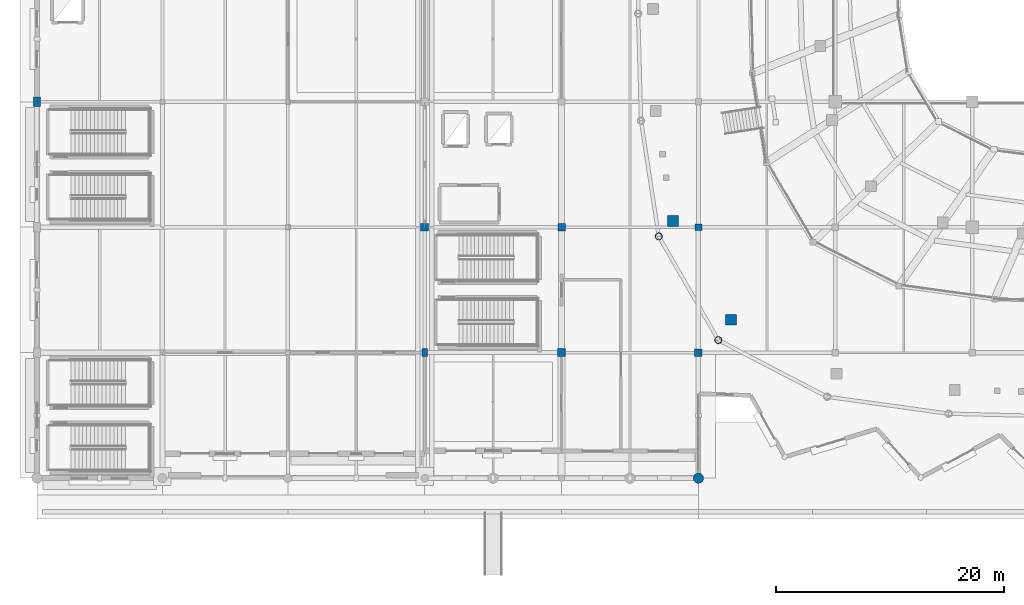
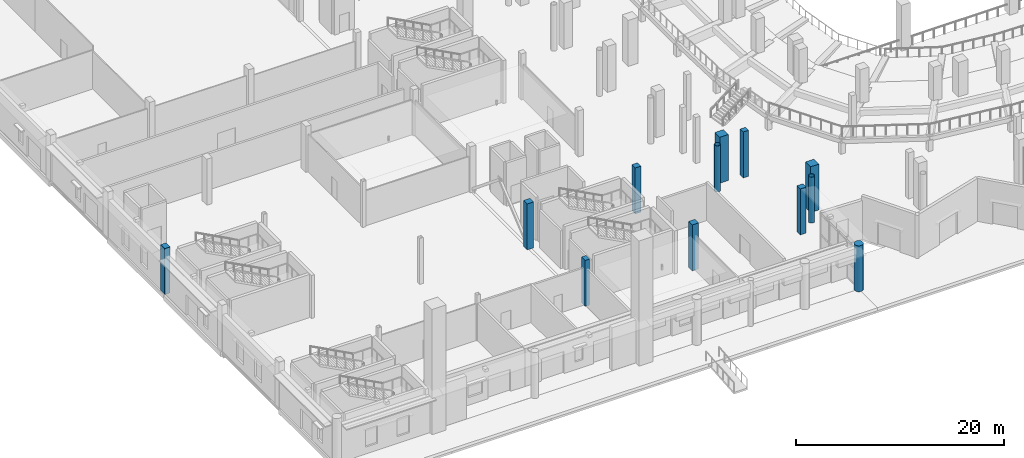
# One storey, part 2 of 120: 12 columns.
"""IFC4 building model written with IfcOpenShell, lengths in metres."""

from ifc_helpers import new_model, si_unit, direction, frame, origin, origin_2d, place, context, subcontext, project, spatial, rectangle, circle, hollow_circle, extrude, material, material_profile, profile_set, type_object, element, save


model = new_model("IFC4")

# Units and contexts
model_context = context("Model", 3, precision=1e-05, world=origin(), true_north=direction((0.0, 1.0)))
body_context = subcontext(model_context, "Body", "Model", "MODEL_VIEW")
ifc_project = project(units=[si_unit("LENGTHUNIT", "METRE"), si_unit("AREAUNIT", "SQUARE_METRE"), si_unit("VOLUMEUNIT", "CUBIC_METRE"), si_unit("PLANEANGLEUNIT", "RADIAN"), si_unit("MASSUNIT", "GRAM", prefix="KILO")], contexts=[model_context])

# Site, building, storey
site_placement = place(None, origin())
site = spatial("IfcSite", under=ifc_project, at=site_placement, CompositionType="ELEMENT")
building_placement = place(site_placement, origin())
building = spatial("IfcBuilding", under=site, at=building_placement, Name="Luwafu Chhajja Arena", CompositionType="ELEMENT")
storey_placement = place(building_placement, origin())
storey = spatial("IfcBuildingStorey", under=building, at=storey_placement, Name="L00", CompositionType="ELEMENT", Elevation=0.0)

# Columns
ifc_material_1 = material(Name="Concrete C40/50", Category="concrete")
ifc_material_profile_1 = material_profile(ifc_material_1, rectangle(XDim=0.949951171875, YDim=0.949951171875, at=origin_2d()), Name="RC 950x950")
ifc_profile_set_1 = profile_set([ifc_material_profile_1], Name="Concrete C40/50")
column_type_1 = type_object("IfcColumnType", Name="Bowl Raker Support Column RC 950", PredefinedType="COLUMN", material=ifc_profile_set_1)
for number, where, z_axis, x_axis, name in (
    (1, (55.772705078125, 22.5419921875, 0.0), (0.0, 0.0, 1.0), (1.0, 0.0, 0.0), "L00 Upper Bowl Raker Column UO20"),
    (2, (60.84619140625, 13.8896484375, 0.0), (0.0, 0.0, 1.0), (1.0, 0.0, 0.0), "L00 Upper Bowl Raker Column UO21"),
):
    element("IfcColumn", number, at=place(storey_placement, frame(where, z_axis=z_axis, x_axis=x_axis)), inside=storey, type_object=column_type_1, Name=name, PredefinedType="COLUMN", context=body_context, shape_type="SweptSolid", body=[
        extrude(rectangle(XDim=0.949951171875, YDim=0.949951171875, at=origin_2d()), origin(), (0.0, 0.0, 1.0), 5.39990234375),
    ])
ifc_material_2 = material(Name="Concrete C35/45", Category="concrete")
ifc_material_profile_2 = material_profile(ifc_material_2, rectangle(XDim=0.60009765625, YDim=0.60009765625, at=origin_2d()), Name="RC 600x600")
ifc_profile_set_2 = profile_set([ifc_material_profile_2], Name="Concrete C35/45")
column_type_2 = type_object("IfcColumnType", Name="Mezzanine Column RC 600", PredefinedType="COLUMN", material=ifc_profile_set_2)
column_1_placement = place(storey_placement, frame((58.0, 22.0, 0.0), z_axis=(0.0, 0.0, 1.0), x_axis=(1.0, 0.0, 0.0)))
element("IfcColumn", 3, at=column_1_placement, inside=storey, type_object=column_type_2, Name="L00 Grid Column 6/C", PredefinedType="COLUMN", context=body_context, shape_type="SweptSolid", body=[
    extrude(rectangle(XDim=0.60009765625, YDim=0.60009765625, at=origin_2d()), origin(), (0.0, 0.0, 1.0), 5.39990234375),
])
ifc_material_profile_3 = material_profile(ifc_material_1, circle(Radius=0.449951171875, at=origin_2d()), Name="RC COL D900")
ifc_profile_set_3 = profile_set([ifc_material_profile_3], Name="Concrete C40/50")
column_type_3 = type_object("IfcColumnType", Name="Mughal Colonnade Drum Pier D900", PredefinedType="COLUMN", material=ifc_profile_set_3)
column_2_placement = place(storey_placement, frame((58.0, 0.0, 0.0), z_axis=(0.0, 0.0, 1.0), x_axis=(1.0, 0.0, 0.0)))
element("IfcColumn", 4, at=column_2_placement, inside=storey, type_object=column_type_3, Name="L00 Grid Column 6/A", PredefinedType="COLUMN", context=body_context, shape_type="SweptSolid", body=[
    extrude(circle(Radius=0.449951171875, at=origin_2d()), origin(), (0.0, 0.0, 1.0), 5.39990234375),
])
ifc_material_profile_4 = material_profile(ifc_material_2, rectangle(XDim=0.5, YDim=0.699951171875, at=origin_2d()), Name="RC 500x700")
ifc_profile_set_4 = profile_set([ifc_material_profile_4], Name="Concrete C35/45")
column_type_4 = type_object("IfcColumnType", Name="Perimeter Pilaster Column RC 500x700", PredefinedType="COLUMN", material=ifc_profile_set_4)
column_3_placement = place(storey_placement, frame((34.0, 11.0, 0.0), z_axis=(0.0, 0.0, 1.0), x_axis=(1.0, 0.0, 0.0)))
element("IfcColumn", 5, at=column_3_placement, inside=storey, type_object=column_type_4, Name="L00 Grid Column 4/B", PredefinedType="COLUMN", context=body_context, shape_type="SweptSolid", body=[
    extrude(rectangle(XDim=0.5, YDim=0.699951171875, at=origin_2d()), origin(), (0.0, 0.0, 1.0), 5.39990234375),
])
ifc_material_profile_5 = material_profile(ifc_material_1, rectangle(XDim=0.60009765625, YDim=0.800048828125, at=origin_2d()), Name="RC 600x800")
ifc_profile_set_5 = profile_set([ifc_material_profile_5], Name="Concrete C40/50")
column_type_5 = type_object("IfcColumnType", Name="Pishtaq Pier Column RC 600x800", PredefinedType="COLUMN", material=ifc_profile_set_5)
column_4_placement = place(storey_placement, frame((0.0, 33.0, 0.0), z_axis=(0.0, 0.0, 1.0), x_axis=(1.0, 0.0, 0.0)))
element("IfcColumn", 6, at=column_4_placement, inside=storey, type_object=column_type_5, Name="L00 Grid Column 1/D", PredefinedType="COLUMN", context=body_context, shape_type="SweptSolid", body=[
    extrude(rectangle(XDim=0.60009765625, YDim=0.800048828125, at=origin_2d()), origin(), (0.0, 0.0, 1.0), 5.39990234375),
])
ifc_material_3 = material(Name="Steel S355", Category="steel")
ifc_material_profile_6 = material_profile(ifc_material_3, hollow_circle(Radius=0.304931640625, WallThickness=0.02490234375, at=origin_2d()), Name="CHS 610x25")
ifc_profile_set_6 = profile_set([ifc_material_profile_6], Name="Steel S355")
column_type_6 = type_object("IfcColumnType", Name="Steel Bowl Drum Column CHS 610", PredefinedType="COLUMN", material=ifc_profile_set_6)
for number, where, z_axis, x_axis, name in (
    (7, (54.52392578125, 21.194091796875, 0.0), (0.0, 0.0, 1.0), (1.0, 0.0, 0.0), "L00 Bowl Drum Column D20"),
    (8, (59.743896484375, 12.109130859375, 0.0), (0.0, 0.0, 1.0), (1.0, 0.0, 0.0), "L00 Bowl Drum Column D21"),
):
    element("IfcColumn", number, at=place(storey_placement, frame(where, z_axis=z_axis, x_axis=x_axis)), inside=storey, type_object=column_type_6, Name=name, PredefinedType="COLUMN", context=body_context, shape_type="SweptSolid", body=[
        extrude(hollow_circle(Radius=0.304931640625, WallThickness=0.02490234375, at=origin_2d()), origin(), (0.0, 0.0, 1.0), 5.39990234375),
    ])
ifc_material_profile_7 = material_profile(ifc_material_2, rectangle(XDim=0.64990234375, YDim=0.64990234375, at=origin_2d()), Name="RC 650x650")
ifc_profile_set_7 = profile_set([ifc_material_profile_7], Name="Concrete C35/45")
column_type_7 = type_object("IfcColumnType", Name="Upper Wing Column RC 650", PredefinedType="COLUMN", material=ifc_profile_set_7)
for number, where, z_axis, x_axis, name in (
    (9, (46.0, 22.0, 0.0), (0.0, 0.0, 1.0), (1.0, 0.0, 0.0), "L00 Grid Column 5/C"),
    (10, (58.0, 11.0, 0.0), (0.0, 0.0, 1.0), (1.0, 0.0, 0.0), "L00 Grid Column 6/B"),
):
    element("IfcColumn", number, at=place(storey_placement, frame(where, z_axis=z_axis, x_axis=x_axis)), inside=storey, type_object=column_type_7, Name=name, PredefinedType="COLUMN", context=body_context, shape_type="SweptSolid", body=[
        extrude(rectangle(XDim=0.64990234375, YDim=0.64990234375, at=origin_2d()), origin(), (0.0, 0.0, 1.0), 5.39990234375),
    ])
ifc_material_profile_8 = material_profile(ifc_material_2, rectangle(XDim=0.699951171875, YDim=0.699951171875, at=origin_2d()), Name="RC 700x700")
ifc_profile_set_8 = profile_set([ifc_material_profile_8], Name="Concrete C35/45")
column_type_8 = type_object("IfcColumnType", Name="Wing Frame Column RC 700", PredefinedType="COLUMN", material=ifc_profile_set_8)
for number, where, z_axis, x_axis, name in (
    (11, (34.0, 22.0, 0.0), (0.0, 0.0, 1.0), (1.0, 0.0, 0.0), "L00 Grid Column 4/C"),
    (12, (46.0, 11.0, 0.0), (0.0, 0.0, 1.0), (1.0, 0.0, 0.0), "L00 Grid Column 5/B"),
):
    element("IfcColumn", number, at=place(storey_placement, frame(where, z_axis=z_axis, x_axis=x_axis)), inside=storey, type_object=column_type_8, Name=name, PredefinedType="COLUMN", context=body_context, shape_type="SweptSolid", body=[
        extrude(rectangle(XDim=0.699951171875, YDim=0.699951171875, at=origin_2d()), origin(), (0.0, 0.0, 1.0), 5.39990234375),
    ])

save(model, "model.ifc")
